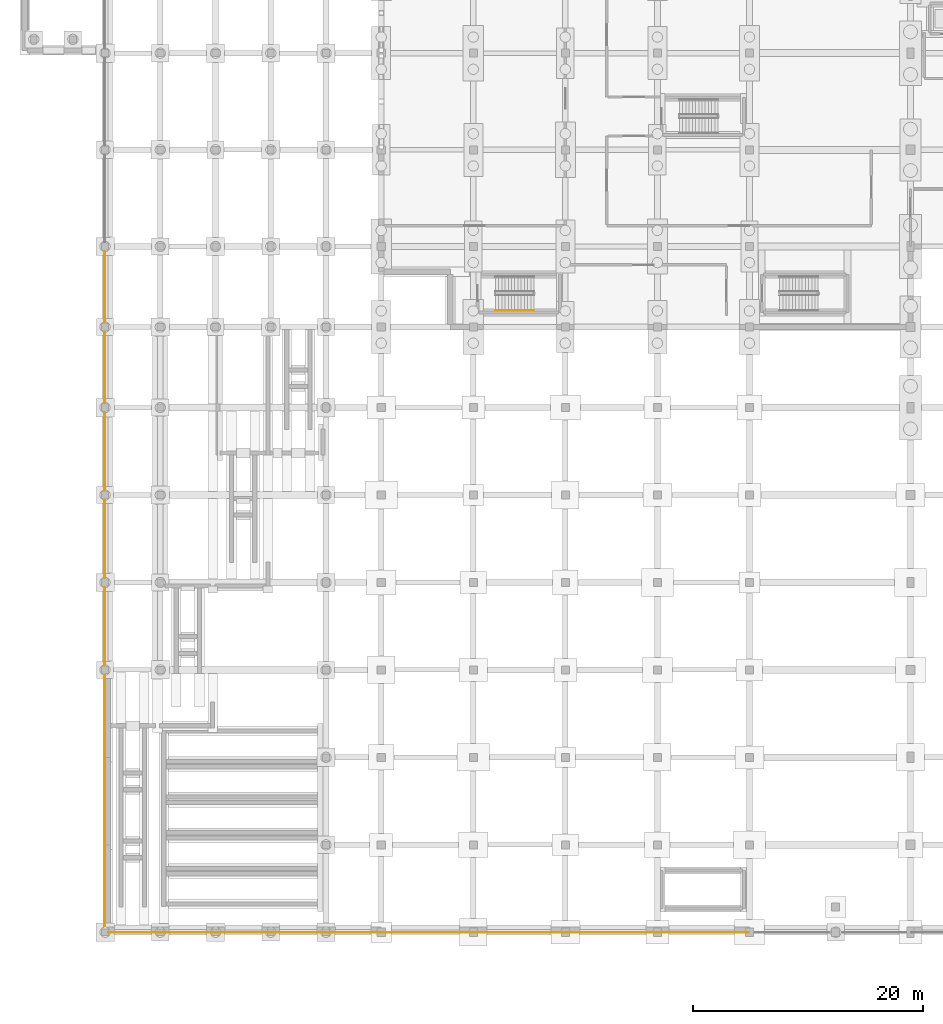
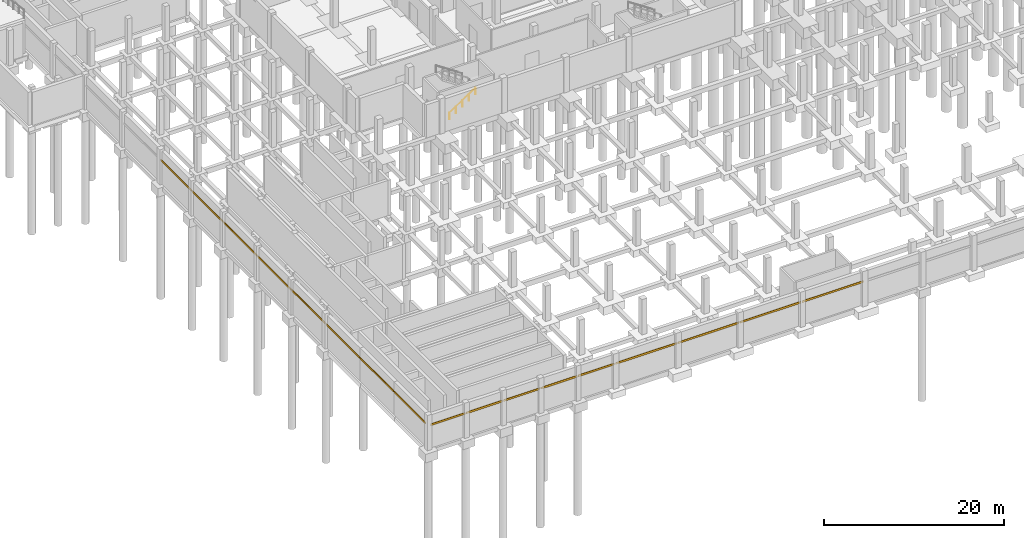
# One storey, part 40 of 50: 17 coverings, 1 railing.
"""IFC4 building model written with IfcOpenShell, lengths in metres."""

from ifc_helpers import new_model, si_unit, direction, frame, origin, origin_2d, place, context, subcontext, project, spatial, rectangle, circle, extrude, material, layer, layer_set, type_object, element, save


model = new_model("IFC4")

# Units and contexts
model_context = context("Model", 3, precision=1e-05, world=origin(), true_north=direction((0.0, 1.0)))
body_context = subcontext(model_context, "Body", "Model", "MODEL_VIEW")
ifc_project = project(units=[si_unit("LENGTHUNIT", "METRE"), si_unit("AREAUNIT", "SQUARE_METRE"), si_unit("VOLUMEUNIT", "CUBIC_METRE"), si_unit("PLANEANGLEUNIT", "RADIAN"), si_unit("MASSUNIT", "GRAM", prefix="KILO")], contexts=[model_context])

# Site, building, storey
site_placement = place(None, origin())
site = spatial("IfcSite", under=ifc_project, at=site_placement, CompositionType="ELEMENT")
building_placement = place(site_placement, origin())
building = spatial("IfcBuilding", under=site, at=building_placement, Name="Vekula Escarpment Museum", CompositionType="ELEMENT")
storey_placement = place(building_placement, frame((0.0, 0.0, -4.800048828125)))
storey = spatial("IfcBuildingStorey", under=building, at=storey_placement, Name="B1", CompositionType="ELEMENT", Elevation=-4.800048828125)

# Coverings
ifc_material_1 = material(Name="Polychrome limestone almasik string-course band", Category="masonry")
ifc_layer = layer(ifc_material_1, 0.06005859375)
ifc_layer_set = layer_set([ifc_layer], Name="Polychrome limestone almasik string-course band")
covering_type = type_object("IfcCoveringType", Name="COV-ALM-BAND", PredefinedType="CLADDING", material=ifc_layer_set)
covering_1_placement = place(storey_placement, frame((2.512451171875, -0.02587890625, 3.06982421875), z_axis=(0.0, 0.0, 1.0), x_axis=(1.0, 0.0, 0.0)))
element("IfcCovering", 1, at=covering_1_placement, inside=storey, type_object=covering_type, Name="Plinth Almasik Stone Band 0694", PredefinedType="CLADDING", context=body_context, shape_type="SweptSolid", body=[
    extrude(rectangle(XDim=4.455078125, YDim=0.06005859375, at=origin_2d()), origin(), (0.0, 0.0, 1.0), 0.260009765625),
])
for number, where, z_axis, x_axis, name in (
    (2, (7.199951171875, -0.02587890625, 3.06982421875), (0.0, 0.0, 1.0), (1.0, 0.0, 0.0), "Plinth Almasik Stone Band 0695"),
    (3, (12.0, -0.02587890625, 3.06982421875), (0.0, 0.0, 1.0), (1.0, 0.0, 0.0), "Plinth Almasik Stone Band 0696"),
    (4, (16.800048828125, -0.02587890625, 3.06982421875), (0.0, 0.0, 1.0), (1.0, 0.0, 0.0), "Plinth Almasik Stone Band 0697"),
    (5, (21.60009765625, -0.02587890625, 3.06982421875), (0.0, 0.0, 1.0), (1.0, 0.0, 0.0), "Plinth Almasik Stone Band 0698"),
):
    element("IfcCovering", number, at=place(storey_placement, frame(where, z_axis=z_axis, x_axis=x_axis)), inside=storey, type_object=covering_type, Name=name, PredefinedType="CLADDING", context=body_context, shape_type="SweptSolid", body=[
        extrude(rectangle(XDim=4.679931640625, YDim=0.06005859375, at=origin_2d()), origin(), (0.0, 0.0, 1.0), 0.260009765625),
    ])
for number, where, z_axis, x_axis, name in (
    (6, (28.0, -0.02587890625, 3.06982421875), (0.0, 0.0, 1.0), (1.0, 0.0, 0.0), "Plinth Almasik Stone Band 0699"),
    (7, (36.0, -0.02587890625, 3.06982421875), (0.0, 0.0, 1.0), (1.0, 0.0, 0.0), "Plinth Almasik Stone Band 0700"),
    (8, (44.0, -0.02587890625, 3.06982421875), (0.0, 0.0, 1.0), (1.0, 0.0, 0.0), "Plinth Almasik Stone Band 0701"),
    (9, (52.0, -0.02587890625, 3.06982421875), (0.0, 0.0, 1.0), (1.0, 0.0, 0.0), "Plinth Almasik Stone Band 0702"),
):
    element("IfcCovering", number, at=place(storey_placement, frame(where, z_axis=z_axis, x_axis=x_axis)), inside=storey, type_object=covering_type, Name=name, PredefinedType="CLADDING", context=body_context, shape_type="SweptSolid", body=[
        extrude(rectangle(XDim=7.8798828125, YDim=0.06005859375, at=origin_2d()), origin(), (0.0, 0.0, 1.0), 0.260009765625),
    ])
for number, where, z_axis, x_axis, name in (
    (10, (-0.02587890625, 56.10009765625, 3.06982421875), (0.0, 0.0, 1.0), (0.0, 1.0, 0.0), "Plinth Almasik Stone Band 0767"),
    (11, (-0.02587890625, 49.10009765625, 3.06982421875), (0.0, 0.0, 1.0), (0.0, 1.0, 0.0), "Plinth Almasik Stone Band 0768"),
):
    element("IfcCovering", number, at=place(storey_placement, frame(where, z_axis=z_axis, x_axis=x_axis)), inside=storey, type_object=covering_type, Name=name, PredefinedType="CLADDING", context=body_context, shape_type="SweptSolid", body=[
        extrude(rectangle(XDim=6.8798828125, YDim=0.06005859375, at=origin_2d()), origin(), (0.0, 0.0, 1.0), 0.260009765625),
    ])
for number, where, z_axis, x_axis, name in (
    (12, (-0.02587890625, 41.800048828125, 3.06982421875), (0.0, 0.0, 1.0), (0.0, 1.0, 0.0), "Plinth Almasik Stone Band 0769"),
    (13, (-0.02587890625, 34.199951171875, 3.06982421875), (0.0, 0.0, 1.0), (0.0, 1.0, 0.0), "Plinth Almasik Stone Band 0770"),
    (14, (-0.02587890625, 26.60009765625, 3.06982421875), (0.0, 0.0, 1.0), (0.0, 1.0, 0.0), "Plinth Almasik Stone Band 0771"),
    (15, (-0.02587890625, 19.0, 3.06982421875), (0.0, 0.0, 1.0), (0.0, 1.0, 0.0), "Plinth Almasik Stone Band 0772"),
    (16, (-0.02587890625, 11.39990234375, 3.06982421875), (0.0, 0.0, 1.0), (0.0, 1.0, 0.0), "Plinth Almasik Stone Band 0773"),
):
    element("IfcCovering", number, at=place(storey_placement, frame(where, z_axis=z_axis, x_axis=x_axis)), inside=storey, type_object=covering_type, Name=name, PredefinedType="CLADDING", context=body_context, shape_type="SweptSolid", body=[
        extrude(rectangle(XDim=7.47998046875, YDim=0.06005859375, at=origin_2d()), origin(), (0.0, 0.0, 1.0), 0.260009765625),
    ])
covering_2_placement = place(storey_placement, frame((-0.02587890625, 4.027099609375, 3.06982421875), z_axis=(0.0, 0.0, 1.0), x_axis=(0.0, 1.0, 0.0)))
element("IfcCovering", 17, at=covering_2_placement, inside=storey, type_object=covering_type, Name="Plinth Almasik Stone Band 0774", PredefinedType="CLADDING", context=body_context, shape_type="SweptSolid", body=[
    extrude(rectangle(XDim=7.02587890625, YDim=0.06005859375, at=origin_2d()), origin(), (0.0, 0.0, 1.0), 0.260009765625),
])

# Railing
ifc_material_2 = material(Name="Brushed stainless steel handrail", Category="steel")
railing_type = type_object("IfcRailingType", Name="RL-STAIR-HAND", PredefinedType="HANDRAIL", material=ifc_material_2)
railing_placement = place(storey_placement, frame((33.919921875, 54.050048828125, 0.1845703125)))
element("IfcRailing", 18, at=railing_placement, inside=storey, type_object=railing_type, Name="B1 ST-04 stair handrail 1", PredefinedType="HANDRAIL", context=body_context, shape_type="SweptSolid", body=[
    extrude(circle(Radius=0.02392578125, at=origin_2d()), frame((0.0, 0.0, 0.8759765625), z_axis=(0.834848600103, 0.0, 0.550479622607), x_axis=(0.0, 1.0, 0.0)), (0.0, 0.0, 1.0), 4.02490234375),
    extrude(circle(Radius=0.02099609375, at=origin_2d()), origin(), (0.0, 0.0, 1.0), 0.851806640625),
    extrude(circle(Radius=0.02099609375, at=origin_2d()), frame((0.840087890625, 0.0, 0.553955078125)), (0.0, 0.0, 1.0), 0.851806640625),
    extrude(circle(Radius=0.02099609375, at=origin_2d()), frame((1.68017578125, 0.0, 1.10791015625)), (0.0, 0.0, 1.0), 0.851806640625),
    extrude(circle(Radius=0.02099609375, at=origin_2d()), frame((2.52001953125, 0.0, 1.66162109375)), (0.0, 0.0, 1.0), 0.851806640625),
    extrude(circle(Radius=0.02099609375, at=origin_2d()), frame((3.360107421875, 0.0, 2.215576171875)), (0.0, 0.0, 1.0), 0.851806640625),
])

save(model, "model.ifc")
